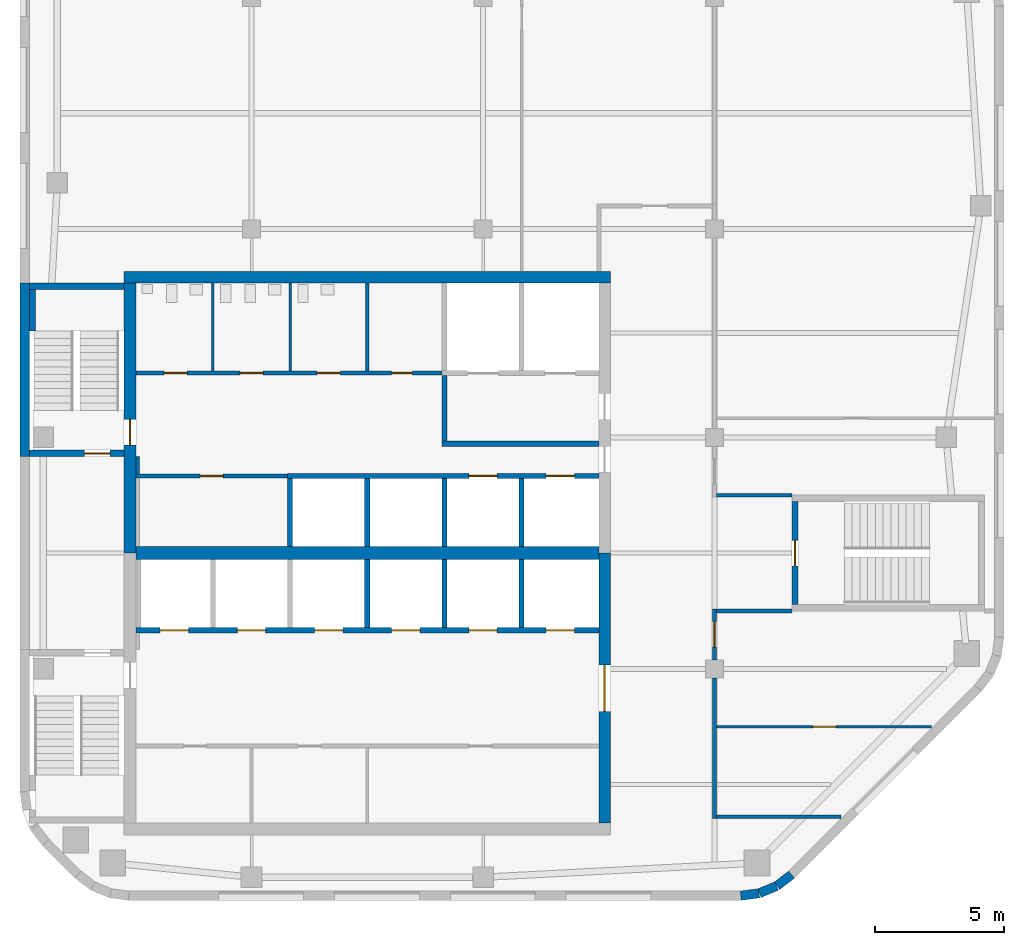
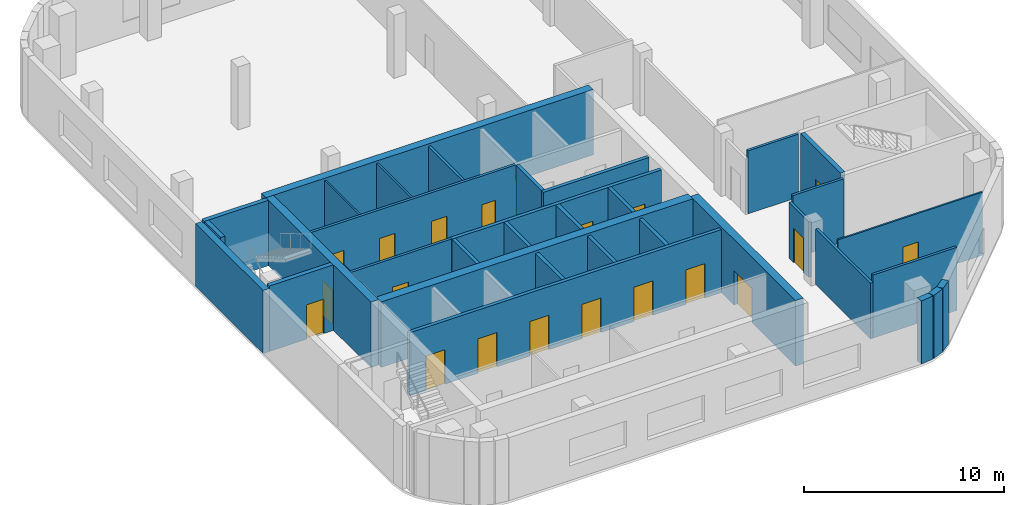
# One storey, part 3 of 7: 35 walls, 19 doors, 19 openings.
"""IFC4 building model written with IfcOpenShell, lengths in metres."""

from ifc_helpers import new_model, si_unit, direction, frame, frame_2d, origin, place, context, subcontext, project, spatial, rectangle, extrude, material, layer, layer_set, type_object, element, fill, save


model = new_model("IFC4")

# Units and contexts
model_context = context("Model", 3, precision=1e-05, world=origin(), true_north=direction((0.0, 1.0)))
body_context = subcontext(model_context, "Body", "Model", "MODEL_VIEW")
ifc_project = project(units=[si_unit("LENGTHUNIT", "METRE"), si_unit("AREAUNIT", "SQUARE_METRE"), si_unit("VOLUMEUNIT", "CUBIC_METRE"), si_unit("PLANEANGLEUNIT", "RADIAN"), si_unit("MASSUNIT", "GRAM", prefix="KILO")], contexts=[model_context])

# Site, building, storey
site_placement = place(None, origin())
site = spatial("IfcSite", under=ifc_project, at=site_placement, CompositionType="ELEMENT")
building_placement = place(site_placement, origin())
building = spatial("IfcBuilding", under=site, at=building_placement, Name="Cinnabar Reach Civic Tower", CompositionType="ELEMENT")
storey_placement = place(building_placement, frame((0.0, 0.0, 259.0)))
storey = spatial("IfcBuildingStorey", under=building, at=storey_placement, Name="L62", CompositionType="ELEMENT", Elevation=259.0)

# Walls
ifc_material_1 = material(Name="Facing brick with insulated backing", Category="masonry")
ifc_layer_1 = layer(ifc_material_1, 0.36)
ifc_layer_set_1 = layer_set([ifc_layer_1], Name="Brick corner wall")
wall_type_1 = type_object("IfcWallType", Name="Brick corner wall", PredefinedType="STANDARD", material=ifc_layer_set_1)
for number, where, z_axis, x_axis, name in (
    (1, (28.0186, 18.183, 0.0), (0.0, 0.0, 1.0), (0.99144092581, 0.13055608231, 0.0), "Brick corner wall"),
    (2, (28.7473, 18.2819, 0.0), (0.0, 0.0, 1.0), (0.923871547278, 0.382702709855, 0.0), "Brick corner wall"),
):
    element("IfcWall", number, at=place(storey_placement, frame(where, z_axis=z_axis, x_axis=x_axis)), inside=storey, type_object=wall_type_1, Name=name, PredefinedType="STANDARD", context=body_context, shape_type="SweptSolid", body=[
        extrude(rectangle(XDim=0.7131, YDim=0.36, at=frame_2d((0.3565, 0.0))), origin(), (0.0, 0.0, 1.0), 3.85),
    ])
wall_1_placement = place(storey_placement, frame((29.4255, 18.566, 0.0), z_axis=(0.0, 0.0, 1.0), x_axis=(0.793321924995, 0.608802368033, 0.0)))
element("IfcWall", 3, at=wall_1_placement, inside=storey, type_object=wall_type_1, Name="Brick corner wall", PredefinedType="STANDARD", context=body_context, shape_type="SweptSolid", body=[
    extrude(rectangle(XDim=0.7132, YDim=0.36, at=frame_2d((0.3566, 0.0))), origin(), (0.0, 0.0, 1.0), 3.85),
])
ifc_layer_2 = layer(ifc_material_1, 0.36)
ifc_layer_set_2 = layer_set([ifc_layer_2], Name="Brick pier and spandrel wall")
wall_type_2 = type_object("IfcWallType", Name="Brick pier and spandrel wall", PredefinedType="STANDARD", material=ifc_layer_set_2)
wall_2_placement = place(storey_placement, frame((0.18, 42.0, 0.0), z_axis=(0.0, 0.0, 1.0), x_axis=(0.0, -1.0, 0.0)))
element("IfcWall", 4, at=wall_2_placement, inside=storey, type_object=wall_type_2, Name="Brick facade wall", PredefinedType="STANDARD", context=body_context, shape_type="SweptSolid", body=[
    extrude(rectangle(XDim=6.75, YDim=0.36, at=frame_2d((3.375, 0.0))), origin(), (0.0, 0.0, 1.0), 3.85),
])
ifc_material_2 = material(Name="Concrete C60", Category="concrete")
ifc_layer_3 = layer(ifc_material_2, 0.45)
ifc_layer_set_3 = layer_set([ifc_layer_3], Name="Core wall 450 EI 180")
wall_type_3 = type_object("IfcWallType", Name="Core wall 450 EI 180", PredefinedType="SOLIDWALL", material=ifc_layer_set_3)
wall_3_placement = place(storey_placement, frame((22.95, 42.225, 0.0), z_axis=(0.0, 0.0, 1.0), x_axis=(-1.0, 0.0, 0.0)))
element("IfcWall", 5, at=wall_3_placement, inside=storey, type_object=wall_type_3, Name="Core wall T1 L62 N", PredefinedType="SOLIDWALL", context=body_context, shape_type="SweptSolid", body=[
    extrude(rectangle(XDim=18.9, YDim=0.45, at=frame_2d((9.45, 0.0))), origin(), (0.0, 0.0, 1.0), 4.0),
])

# Wall, opening, door
wall_4_placement = place(storey_placement, frame((22.725, 21.0, 0.0), z_axis=(0.0, 0.0, 1.0), x_axis=(0.0, 1.0, 0.0)))
wall_4 = element("IfcWall", 6, at=wall_4_placement, inside=storey, type_object=wall_type_3, Name="Core wall T1 L62 E", PredefinedType="SOLIDWALL", context=body_context, shape_type="SweptSolid", body=[
    extrude(rectangle(XDim=10.5, YDim=0.45, at=frame_2d((5.25, 0.0))), origin(), (0.0, 0.0, 1.0), 4.0),
])
opening_1_placement = place(wall_4_placement, frame((4.35, 0.0, 0.0)))
opening_1 = element("IfcOpeningElement", 7, at=opening_1_placement, cuts=wall_4, Name="Opening D5488", PredefinedType="OPENING", context=body_context, shape_type="SweptSolid", body=[
    extrude(rectangle(XDim=1.8, YDim=2.1, at=frame_2d((0.9, 1.05))), frame((0.0, 0.235, 0.0), z_axis=(0.0, -1.0, 0.0), x_axis=(1.0, 0.0, 0.0)), (0.0, 0.0, 1.0), 0.47),
])
ifc_material_3 = material(Name="Timber door leaf in steel frame", Category="steel")
door_type_1 = type_object("IfcDoorType", Name="Double swing door 1800 x 2100 T1", OperationType="DOUBLE_DOOR_DOUBLE_SWING", PredefinedType="DOOR", material=ifc_material_3)
door_1_placement = place(opening_1_placement, origin())
door_1 = element("IfcDoor", 8, at=door_1_placement, inside=storey, type_object=door_type_1, Name="Door D5488", OperationType="DOUBLE_DOOR_DOUBLE_SWING", OverallHeight=2.1, OverallWidth=1.8, PredefinedType="DOOR", context=body_context, shape_type="SweptSolid", body=[
    extrude(rectangle(XDim=1.8, YDim=2.1, at=frame_2d((0.9, 1.05))), frame((0.0, 0.025, 0.0), z_axis=(0.0, -1.0, 0.0), x_axis=(1.0, 0.0, 0.0)), (0.0, 0.0, 1.0), 0.05),
])
fill(opening_1, door_1)

wall_5_placement = place(storey_placement, frame((4.275, 42.0, 0.0), z_axis=(0.0, 0.0, 1.0), x_axis=(0.0, -1.0, 0.0)))
wall_5 = element("IfcWall", 9, at=wall_5_placement, inside=storey, type_object=wall_type_3, Name="Core wall T1 L62 W", PredefinedType="SOLIDWALL", context=body_context, shape_type="SweptSolid", body=[
    extrude(rectangle(XDim=10.5, YDim=0.45, at=frame_2d((5.25, 0.0))), origin(), (0.0, 0.0, 1.0), 4.0),
])
opening_2_placement = place(wall_5_placement, frame((5.3, 0.0, 0.0)))
opening_2 = element("IfcOpeningElement", 10, at=opening_2_placement, cuts=wall_5, Name="Opening D5476", PredefinedType="OPENING", context=body_context, shape_type="SweptSolid", body=[
    extrude(rectangle(XDim=1.0, YDim=2.1, at=frame_2d((0.5, 1.05))), frame((0.0, 0.235, 0.0), z_axis=(0.0, -1.0, 0.0), x_axis=(1.0, 0.0, 0.0)), (0.0, 0.0, 1.0), 0.47),
])
door_type_2 = type_object("IfcDoorType", Name="Stair door 1000 x 2100 T1", OperationType="SINGLE_SWING_LEFT", PredefinedType="DOOR", material=ifc_material_3)
door_2_placement = place(opening_2_placement, frame((1.0, 0.0, 0.0), z_axis=(0.0, 0.0, 1.0), x_axis=(-1.0, 0.0, 0.0)))
door_2 = element("IfcDoor", 11, at=door_2_placement, inside=storey, type_object=door_type_2, Name="Door D5476", OperationType="SINGLE_SWING_LEFT", OverallHeight=2.1, OverallWidth=1.0, PredefinedType="DOOR", context=body_context, shape_type="SweptSolid", body=[
    extrude(rectangle(XDim=1.0, YDim=2.1, at=frame_2d((0.5, 1.05))), frame((0.0, 0.025, 0.0), z_axis=(0.0, -1.0, 0.0), x_axis=(1.0, 0.0, 0.0)), (0.0, 0.0, 1.0), 0.05),
])
fill(opening_2, door_2)

# Wall
ifc_layer_4 = layer(ifc_material_2, 0.5)
ifc_layer_set_4 = layer_set([ifc_layer_4], Name="Core wall 500 EI 180")
wall_type_4 = type_object("IfcWallType", Name="Core wall 500 EI 180", PredefinedType="SOLIDWALL", material=ifc_layer_set_4)
wall_6_placement = place(storey_placement, frame((4.5, 31.5, 0.0), z_axis=(0.0, 0.0, 1.0), x_axis=(1.0, 0.0, 0.0)))
element("IfcWall", 12, at=wall_6_placement, inside=storey, type_object=wall_type_4, Name="Core spine wall T1 L62", PredefinedType="SOLIDWALL", context=body_context, shape_type="SweptSolid", body=[
    extrude(rectangle(XDim=18.0, YDim=0.5, at=frame_2d((9.0, 0.0))), origin(), (0.0, 0.0, 1.0), 4.0),
])

# Wall, openings, doors
ifc_material_4 = material(Name="Gypsum board on steel studs, double layer", Category="steel")
ifc_layer_5 = layer(ifc_material_4, 0.15)
ifc_layer_set_5 = layer_set([ifc_layer_5], Name="Corridor wall 150 T1")
wall_type_5 = type_object("IfcWallType", Name="Corridor wall 150 T1", PredefinedType="PARTITIONING", material=ifc_layer_set_5)
wall_7_placement = place(storey_placement, frame((4.5, 38.5, 0.0), z_axis=(0.0, 0.0, 1.0), x_axis=(1.0, 0.0, 0.0)))
wall_7 = element("IfcWall", 13, at=wall_7_placement, inside=storey, type_object=wall_type_5, Name="Corridor wall 19", PredefinedType="PARTITIONING", context=body_context, shape_type="SweptSolid", body=[
    extrude(rectangle(XDim=11.9, YDim=0.15, at=frame_2d((5.95, 0.0))), origin(), (0.0, 0.0, 1.0), 3.85),
])
opening_3_placement = place(wall_7_placement, frame((1.1, 0.0, 0.0)))
opening_3 = element("IfcOpeningElement", 14, at=opening_3_placement, cuts=wall_7, Name="Opening D5496", PredefinedType="OPENING", context=body_context, shape_type="SweptSolid", body=[
    extrude(rectangle(XDim=0.9, YDim=2.1, at=frame_2d((0.45, 1.05))), frame((0.0, 0.085, 0.0), z_axis=(0.0, -1.0, 0.0), x_axis=(1.0, 0.0, 0.0)), (0.0, 0.0, 1.0), 0.17),
])
opening_4_placement = place(wall_7_placement, frame((4.05, 0.0, 0.0)))
opening_4 = element("IfcOpeningElement", 15, at=opening_4_placement, cuts=wall_7, Name="Opening D5497", PredefinedType="OPENING", context=body_context, shape_type="SweptSolid", body=[
    extrude(rectangle(XDim=0.9, YDim=2.1, at=frame_2d((0.45, 1.05))), frame((0.0, 0.085, 0.0), z_axis=(0.0, -1.0, 0.0), x_axis=(1.0, 0.0, 0.0)), (0.0, 0.0, 1.0), 0.17),
])
opening_5_placement = place(wall_7_placement, frame((7.05, 0.0, 0.0)))
opening_5 = element("IfcOpeningElement", 16, at=opening_5_placement, cuts=wall_7, Name="Opening D5498", PredefinedType="OPENING", context=body_context, shape_type="SweptSolid", body=[
    extrude(rectangle(XDim=0.9, YDim=2.1, at=frame_2d((0.45, 1.05))), frame((0.0, 0.085, 0.0), z_axis=(0.0, -1.0, 0.0), x_axis=(1.0, 0.0, 0.0)), (0.0, 0.0, 1.0), 0.17),
])
opening_6_placement = place(wall_7_placement, frame((9.95, 0.0, 0.0)))
opening_6 = element("IfcOpeningElement", 17, at=opening_6_placement, cuts=wall_7, Name="Opening D5499", PredefinedType="OPENING", context=body_context, shape_type="SweptSolid", body=[
    extrude(rectangle(XDim=0.8, YDim=2.1, at=frame_2d((0.4, 1.05))), frame((0.0, 0.085, 0.0), z_axis=(0.0, -1.0, 0.0), x_axis=(1.0, 0.0, 0.0)), (0.0, 0.0, 1.0), 0.17),
])
door_type_3 = type_object("IfcDoorType", Name="Riser access door 800 x 2100 T1", OperationType="SINGLE_SWING_LEFT", PredefinedType="DOOR", material=ifc_material_3)
door_3_placement = place(opening_6_placement, origin())
door_3 = element("IfcDoor", 18, at=door_3_placement, inside=storey, type_object=door_type_3, Name="Door D5499", OperationType="SINGLE_SWING_LEFT", OverallHeight=2.1, OverallWidth=0.8, PredefinedType="DOOR", context=body_context, shape_type="SweptSolid", body=[
    extrude(rectangle(XDim=0.8, YDim=2.1, at=frame_2d((0.4, 1.05))), frame((0.0, 0.025, 0.0), z_axis=(0.0, -1.0, 0.0), x_axis=(1.0, 0.0, 0.0)), (0.0, 0.0, 1.0), 0.05),
])
fill(opening_6, door_3)
door_type_4 = type_object("IfcDoorType", Name="Single swing door 900 x 2100 corridor T1", OperationType="SINGLE_SWING_LEFT", PredefinedType="DOOR", material=ifc_material_3)
door_4_placement = place(opening_3_placement, origin())
door_4 = element("IfcDoor", 19, at=door_4_placement, inside=storey, type_object=door_type_4, Name="Door D5496", OperationType="SINGLE_SWING_RIGHT", OverallHeight=2.1, OverallWidth=0.9, PredefinedType="DOOR", context=body_context, shape_type="SweptSolid", body=[
    extrude(rectangle(XDim=0.9, YDim=2.1, at=frame_2d((0.45, 1.05))), frame((0.0, 0.025, 0.0), z_axis=(0.0, -1.0, 0.0), x_axis=(1.0, 0.0, 0.0)), (0.0, 0.0, 1.0), 0.05),
])
fill(opening_3, door_4)
door_5_placement = place(opening_4_placement, origin())
door_5 = element("IfcDoor", 20, at=door_5_placement, inside=storey, type_object=door_type_4, Name="Door D5497", OperationType="SINGLE_SWING_RIGHT", OverallHeight=2.1, OverallWidth=0.9, PredefinedType="DOOR", context=body_context, shape_type="SweptSolid", body=[
    extrude(rectangle(XDim=0.9, YDim=2.1, at=frame_2d((0.45, 1.05))), frame((0.0, 0.025, 0.0), z_axis=(0.0, -1.0, 0.0), x_axis=(1.0, 0.0, 0.0)), (0.0, 0.0, 1.0), 0.05),
])
fill(opening_4, door_5)
door_6_placement = place(opening_5_placement, origin())
door_6 = element("IfcDoor", 21, at=door_6_placement, inside=storey, type_object=door_type_4, Name="Door D5498", OperationType="SINGLE_SWING_LEFT", OverallHeight=2.1, OverallWidth=0.9, PredefinedType="DOOR", context=body_context, shape_type="SweptSolid", body=[
    extrude(rectangle(XDim=0.9, YDim=2.1, at=frame_2d((0.45, 1.05))), frame((0.0, 0.025, 0.0), z_axis=(0.0, -1.0, 0.0), x_axis=(1.0, 0.0, 0.0)), (0.0, 0.0, 1.0), 0.05),
])
fill(opening_5, door_6)

# Wall
wall_8_placement = place(storey_placement, frame((27.0, 21.175, 0.0), z_axis=(0.0, 0.0, 1.0), x_axis=(0.0, 1.0, 0.0)))
element("IfcWall", 22, at=wall_8_placement, inside=storey, type_object=wall_type_5, Name="Corridor wall 23", PredefinedType="PARTITIONING", context=body_context, shape_type="SweptSolid", body=[
    extrude(rectangle(XDim=5.475, YDim=0.15, at=frame_2d((2.7375, 0.0))), origin(), (0.0, 0.0, 1.0), 3.4),
])

# Wall, opening, door
wall_9_placement = place(storey_placement, frame((27.0, 27.35, 0.0), z_axis=(0.0, 0.0, 1.0), x_axis=(0.0, 1.0, 0.0)))
wall_9 = element("IfcWall", 23, at=wall_9_placement, inside=storey, type_object=wall_type_5, Name="Corridor wall 24", PredefinedType="PARTITIONING", context=body_context, shape_type="SweptSolid", body=[
    extrude(rectangle(XDim=1.975, YDim=0.15, at=frame_2d((0.9875, 0.0))), origin(), (0.0, 0.0, 1.0), 3.4),
])
opening_7_placement = place(wall_9_placement, frame((0.5, 0.0, 0.0)))
opening_7 = element("IfcOpeningElement", 24, at=opening_7_placement, cuts=wall_9, Name="Opening D5502", PredefinedType="OPENING", context=body_context, shape_type="SweptSolid", body=[
    extrude(rectangle(XDim=1.0, YDim=2.1, at=frame_2d((0.5, 1.05))), frame((0.0, 0.085, 0.0), z_axis=(0.0, -1.0, 0.0), x_axis=(1.0, 0.0, 0.0)), (0.0, 0.0, 1.0), 0.17),
])
door_type_5 = type_object("IfcDoorType", Name="Tenancy entrance door 1000 x 2100 T1", OperationType="SINGLE_SWING_LEFT", PredefinedType="DOOR", material=ifc_material_3)
door_7_placement = place(opening_7_placement, frame((1.0, 0.0, 0.0), z_axis=(0.0, 0.0, 1.0), x_axis=(-1.0, 0.0, 0.0)))
door_7 = element("IfcDoor", 25, at=door_7_placement, inside=storey, type_object=door_type_5, Name="Door D5502", OperationType="SINGLE_SWING_LEFT", OverallHeight=2.1, OverallWidth=1.0, PredefinedType="DOOR", context=body_context, shape_type="SweptSolid", body=[
    extrude(rectangle(XDim=1.0, YDim=2.1, at=frame_2d((0.5, 1.05))), frame((0.0, 0.025, 0.0), z_axis=(0.0, -1.0, 0.0), x_axis=(1.0, 0.0, 0.0)), (0.0, 0.0, 1.0), 0.05),
])
fill(opening_7, door_7)

wall_10_placement = place(storey_placement, frame((4.5, 34.5, 0.0), z_axis=(0.0, 0.0, 1.0), x_axis=(1.0, 0.0, 0.0)))
wall_10 = element("IfcWall", 26, at=wall_10_placement, inside=storey, type_object=wall_type_5, Name="Corridor wall 25", PredefinedType="PARTITIONING", context=body_context, shape_type="SweptSolid", body=[
    extrude(rectangle(XDim=5.9, YDim=0.15, at=frame_2d((2.95, 0.0))), origin(), (0.0, 0.0, 1.0), 3.85),
])
opening_8_placement = place(wall_10_placement, frame((2.5, 0.0, 0.0)))
opening_8 = element("IfcOpeningElement", 27, at=opening_8_placement, cuts=wall_10, Name="Opening D5495", PredefinedType="OPENING", context=body_context, shape_type="SweptSolid", body=[
    extrude(rectangle(XDim=0.9, YDim=2.1, at=frame_2d((0.45, 1.05))), frame((0.0, 0.085, 0.0), z_axis=(0.0, -1.0, 0.0), x_axis=(1.0, 0.0, 0.0)), (0.0, 0.0, 1.0), 0.17),
])
door_8_placement = place(opening_8_placement, frame((0.9, 0.0, 0.0), z_axis=(0.0, 0.0, 1.0), x_axis=(-1.0, 0.0, 0.0)))
door_8 = element("IfcDoor", 28, at=door_8_placement, inside=storey, type_object=door_type_4, Name="Door D5495", OperationType="SINGLE_SWING_RIGHT", OverallHeight=2.1, OverallWidth=0.9, PredefinedType="DOOR", context=body_context, shape_type="SweptSolid", body=[
    extrude(rectangle(XDim=0.9, YDim=2.1, at=frame_2d((0.45, 1.05))), frame((0.0, 0.025, 0.0), z_axis=(0.0, -1.0, 0.0), x_axis=(1.0, 0.0, 0.0)), (0.0, 0.0, 1.0), 0.05),
])
fill(opening_8, door_8)

# Walls
wall_11_placement = place(storey_placement, frame((27.075, 21.25, 0.0), z_axis=(0.0, 0.0, 1.0), x_axis=(1.0, 0.0, 0.0)))
element("IfcWall", 29, at=wall_11_placement, inside=storey, type_object=wall_type_5, Name="Corridor wall 26", PredefinedType="PARTITIONING", context=body_context, shape_type="SweptSolid", body=[
    extrude(rectangle(XDim=4.841, YDim=0.15, at=frame_2d((2.4205, 0.0))), origin(), (0.0, 0.0, 1.0), 3.85),
])
wall_12_placement = place(storey_placement, frame((4.575, 34.575, 0.0), z_axis=(0.0, 0.0, 1.0), x_axis=(0.0, 1.0, 0.0)))
element("IfcWall", 30, at=wall_12_placement, inside=storey, type_object=wall_type_5, Name="Corridor wall 28", PredefinedType="PARTITIONING", context=body_context, shape_type="SweptSolid", body=[
    extrude(rectangle(XDim=0.675, YDim=0.15, at=frame_2d((0.3375, 0.0))), origin(), (0.0, 0.0, 1.0), 3.85),
])
for number, where, z_axis, x_axis, name in (
    (31, (27.075, 29.25, 0.0), (0.0, 0.0, 1.0), (1.0, 0.0, 0.0), "Corridor wall 30"),
    (32, (27.075, 33.75, 0.0), (0.0, 0.0, 1.0), (1.0, 0.0, 0.0), "Corridor wall 31"),
):
    element("IfcWall", number, at=place(storey_placement, frame(where, z_axis=z_axis, x_axis=x_axis)), inside=storey, type_object=wall_type_5, Name=name, PredefinedType="PARTITIONING", context=body_context, shape_type="SweptSolid", body=[
        extrude(rectangle(XDim=2.925, YDim=0.15, at=frame_2d((1.4625, 0.0))), origin(), (0.0, 0.0, 1.0), 3.85),
    ])

# Wall, openings, doors
ifc_material_5 = material(Name="Blockwork", Category="masonry")
ifc_layer_6 = layer(ifc_material_5, 0.2)
ifc_layer_set_6 = layer_set([ifc_layer_6], Name="Lift shaft wall 200 T1")
wall_type_6 = type_object("IfcWallType", Name="Lift shaft wall 200 T1", PredefinedType="PARTITIONING", material=ifc_layer_set_6)
wall_13_placement = place(storey_placement, frame((4.5, 28.5, 0.0), z_axis=(0.0, 0.0, 1.0), x_axis=(1.0, 0.0, 0.0)))
wall_13 = element("IfcWall", 33, at=wall_13_placement, inside=storey, type_object=wall_type_6, Name="Lift shaft wall 4", PredefinedType="PARTITIONING", context=body_context, shape_type="SweptSolid", body=[
    extrude(rectangle(XDim=18.0, YDim=0.2, at=frame_2d((9.0, 0.0))), origin(), (0.0, 0.0, 1.0), 3.85),
])
opening_9_placement = place(wall_13_placement, frame((0.95, 0.0, 0.0)))
opening_9 = element("IfcOpeningElement", 34, at=opening_9_placement, cuts=wall_13, Name="Opening D5478", PredefinedType="OPENING", context=body_context, shape_type="SweptSolid", body=[
    extrude(rectangle(XDim=1.1, YDim=2.1, at=frame_2d((0.55, 1.05))), frame((0.0, 0.11, 0.0), z_axis=(0.0, -1.0, 0.0), x_axis=(1.0, 0.0, 0.0)), (0.0, 0.0, 1.0), 0.22),
])
opening_10_placement = place(wall_13_placement, frame((3.95, 0.0, 0.0)))
opening_10 = element("IfcOpeningElement", 35, at=opening_10_placement, cuts=wall_13, Name="Opening D5479", PredefinedType="OPENING", context=body_context, shape_type="SweptSolid", body=[
    extrude(rectangle(XDim=1.1, YDim=2.1, at=frame_2d((0.55, 1.05))), frame((0.0, 0.11, 0.0), z_axis=(0.0, -1.0, 0.0), x_axis=(1.0, 0.0, 0.0)), (0.0, 0.0, 1.0), 0.22),
])
opening_11_placement = place(wall_13_placement, frame((6.95, 0.0, 0.0)))
opening_11 = element("IfcOpeningElement", 36, at=opening_11_placement, cuts=wall_13, Name="Opening D5480", PredefinedType="OPENING", context=body_context, shape_type="SweptSolid", body=[
    extrude(rectangle(XDim=1.1, YDim=2.1, at=frame_2d((0.55, 1.05))), frame((0.0, 0.11, 0.0), z_axis=(0.0, -1.0, 0.0), x_axis=(1.0, 0.0, 0.0)), (0.0, 0.0, 1.0), 0.22),
])
opening_12_placement = place(wall_13_placement, frame((9.95, 0.0, 0.0)))
opening_12 = element("IfcOpeningElement", 37, at=opening_12_placement, cuts=wall_13, Name="Opening D5481", PredefinedType="OPENING", context=body_context, shape_type="SweptSolid", body=[
    extrude(rectangle(XDim=1.1, YDim=2.1, at=frame_2d((0.55, 1.05))), frame((0.0, 0.11, 0.0), z_axis=(0.0, -1.0, 0.0), x_axis=(1.0, 0.0, 0.0)), (0.0, 0.0, 1.0), 0.22),
])
opening_13_placement = place(wall_13_placement, frame((12.95, 0.0, 0.0)))
opening_13 = element("IfcOpeningElement", 38, at=opening_13_placement, cuts=wall_13, Name="Opening D5482", PredefinedType="OPENING", context=body_context, shape_type="SweptSolid", body=[
    extrude(rectangle(XDim=1.1, YDim=2.1, at=frame_2d((0.55, 1.05))), frame((0.0, 0.11, 0.0), z_axis=(0.0, -1.0, 0.0), x_axis=(1.0, 0.0, 0.0)), (0.0, 0.0, 1.0), 0.22),
])
opening_14_placement = place(wall_13_placement, frame((15.95, 0.0, 0.0)))
opening_14 = element("IfcOpeningElement", 39, at=opening_14_placement, cuts=wall_13, Name="Opening D5483", PredefinedType="OPENING", context=body_context, shape_type="SweptSolid", body=[
    extrude(rectangle(XDim=1.1, YDim=2.1, at=frame_2d((0.55, 1.05))), frame((0.0, 0.11, 0.0), z_axis=(0.0, -1.0, 0.0), x_axis=(1.0, 0.0, 0.0)), (0.0, 0.0, 1.0), 0.22),
])
ifc_material_6 = material(Name="Stainless steel sliding door", Category="steel")
door_type_6 = type_object("IfcDoorType", Name="Lift landing door 1100 x 2100 T1", OperationType="SLIDING_TO_LEFT", PredefinedType="DOOR", material=ifc_material_6)
door_9_placement = place(opening_9_placement, origin())
door_9 = element("IfcDoor", 40, at=door_9_placement, inside=storey, type_object=door_type_6, Name="Lift landing door HR1 L62", OperationType="SLIDING_TO_LEFT", OverallHeight=2.1, OverallWidth=1.1, PredefinedType="DOOR", context=body_context, shape_type="SweptSolid", body=[
    extrude(rectangle(XDim=1.1, YDim=2.1, at=frame_2d((0.55, 1.05))), frame((0.0, 0.025, 0.0), z_axis=(0.0, -1.0, 0.0), x_axis=(1.0, 0.0, 0.0)), (0.0, 0.0, 1.0), 0.05),
])
fill(opening_9, door_9)
door_10_placement = place(opening_10_placement, origin())
door_10 = element("IfcDoor", 41, at=door_10_placement, inside=storey, type_object=door_type_6, Name="Lift landing door HR2 L62", OperationType="SLIDING_TO_LEFT", OverallHeight=2.1, OverallWidth=1.1, PredefinedType="DOOR", context=body_context, shape_type="SweptSolid", body=[
    extrude(rectangle(XDim=1.1, YDim=2.1, at=frame_2d((0.55, 1.05))), frame((0.0, 0.025, 0.0), z_axis=(0.0, -1.0, 0.0), x_axis=(1.0, 0.0, 0.0)), (0.0, 0.0, 1.0), 0.05),
])
fill(opening_10, door_10)
door_11_placement = place(opening_11_placement, origin())
door_11 = element("IfcDoor", 42, at=door_11_placement, inside=storey, type_object=door_type_6, Name="Lift landing door HR3 L62", OperationType="SLIDING_TO_LEFT", OverallHeight=2.1, OverallWidth=1.1, PredefinedType="DOOR", context=body_context, shape_type="SweptSolid", body=[
    extrude(rectangle(XDim=1.1, YDim=2.1, at=frame_2d((0.55, 1.05))), frame((0.0, 0.025, 0.0), z_axis=(0.0, -1.0, 0.0), x_axis=(1.0, 0.0, 0.0)), (0.0, 0.0, 1.0), 0.05),
])
fill(opening_11, door_11)
door_12_placement = place(opening_12_placement, origin())
door_12 = element("IfcDoor", 43, at=door_12_placement, inside=storey, type_object=door_type_6, Name="Lift landing door HR4 L62", OperationType="SLIDING_TO_LEFT", OverallHeight=2.1, OverallWidth=1.1, PredefinedType="DOOR", context=body_context, shape_type="SweptSolid", body=[
    extrude(rectangle(XDim=1.1, YDim=2.1, at=frame_2d((0.55, 1.05))), frame((0.0, 0.025, 0.0), z_axis=(0.0, -1.0, 0.0), x_axis=(1.0, 0.0, 0.0)), (0.0, 0.0, 1.0), 0.05),
])
fill(opening_12, door_12)
door_13_placement = place(opening_13_placement, origin())
door_13 = element("IfcDoor", 44, at=door_13_placement, inside=storey, type_object=door_type_6, Name="Lift landing door HR5 L62", OperationType="SLIDING_TO_LEFT", OverallHeight=2.1, OverallWidth=1.1, PredefinedType="DOOR", context=body_context, shape_type="SweptSolid", body=[
    extrude(rectangle(XDim=1.1, YDim=2.1, at=frame_2d((0.55, 1.05))), frame((0.0, 0.025, 0.0), z_axis=(0.0, -1.0, 0.0), x_axis=(1.0, 0.0, 0.0)), (0.0, 0.0, 1.0), 0.05),
])
fill(opening_13, door_13)
door_14_placement = place(opening_14_placement, origin())
door_14 = element("IfcDoor", 45, at=door_14_placement, inside=storey, type_object=door_type_6, Name="Lift landing door HR6 L62", OperationType="SLIDING_TO_LEFT", OverallHeight=2.1, OverallWidth=1.1, PredefinedType="DOOR", context=body_context, shape_type="SweptSolid", body=[
    extrude(rectangle(XDim=1.1, YDim=2.1, at=frame_2d((0.55, 1.05))), frame((0.0, 0.025, 0.0), z_axis=(0.0, -1.0, 0.0), x_axis=(1.0, 0.0, 0.0)), (0.0, 0.0, 1.0), 0.05),
])
fill(opening_14, door_14)

wall_14_placement = place(storey_placement, frame((10.4, 34.5, 0.0), z_axis=(0.0, 0.0, 1.0), x_axis=(1.0, 0.0, 0.0)))
wall_14 = element("IfcWall", 46, at=wall_14_placement, inside=storey, type_object=wall_type_6, Name="Lift shaft wall 5", PredefinedType="PARTITIONING", context=body_context, shape_type="SweptSolid", body=[
    extrude(rectangle(XDim=12.1, YDim=0.2, at=frame_2d((6.05, 0.0))), origin(), (0.0, 0.0, 1.0), 3.85),
])
opening_15_placement = place(wall_14_placement, frame((7.05, 0.0, 0.0)))
opening_15 = element("IfcOpeningElement", 47, at=opening_15_placement, cuts=wall_14, Name="Opening D5484", PredefinedType="OPENING", context=body_context, shape_type="SweptSolid", body=[
    extrude(rectangle(XDim=1.1, YDim=2.1, at=frame_2d((0.55, 1.05))), frame((0.0, 0.11, 0.0), z_axis=(0.0, -1.0, 0.0), x_axis=(1.0, 0.0, 0.0)), (0.0, 0.0, 1.0), 0.22),
])
opening_16_placement = place(wall_14_placement, frame((10.05, 0.0, 0.0)))
opening_16 = element("IfcOpeningElement", 48, at=opening_16_placement, cuts=wall_14, Name="Opening D5485", PredefinedType="OPENING", context=body_context, shape_type="SweptSolid", body=[
    extrude(rectangle(XDim=1.1, YDim=2.1, at=frame_2d((0.55, 1.05))), frame((0.0, 0.11, 0.0), z_axis=(0.0, -1.0, 0.0), x_axis=(1.0, 0.0, 0.0)), (0.0, 0.0, 1.0), 0.22),
])
door_15_placement = place(opening_15_placement, origin())
door_15 = element("IfcDoor", 49, at=door_15_placement, inside=storey, type_object=door_type_6, Name="Lift landing door SV1 L62", OperationType="SLIDING_TO_LEFT", OverallHeight=2.1, OverallWidth=1.1, PredefinedType="DOOR", context=body_context, shape_type="SweptSolid", body=[
    extrude(rectangle(XDim=1.1, YDim=2.1, at=frame_2d((0.55, 1.05))), frame((0.0, 0.025, 0.0), z_axis=(0.0, -1.0, 0.0), x_axis=(1.0, 0.0, 0.0)), (0.0, 0.0, 1.0), 0.05),
])
fill(opening_15, door_15)
door_16_placement = place(opening_16_placement, origin())
door_16 = element("IfcDoor", 50, at=door_16_placement, inside=storey, type_object=door_type_6, Name="Lift landing door SV2 L62", OperationType="SLIDING_TO_LEFT", OverallHeight=2.1, OverallWidth=1.1, PredefinedType="DOOR", context=body_context, shape_type="SweptSolid", body=[
    extrude(rectangle(XDim=1.1, YDim=2.1, at=frame_2d((0.55, 1.05))), frame((0.0, 0.025, 0.0), z_axis=(0.0, -1.0, 0.0), x_axis=(1.0, 0.0, 0.0)), (0.0, 0.0, 1.0), 0.05),
])
fill(opening_16, door_16)

# Walls
for number, where, z_axis, x_axis, name in (
    (51, (10.5, 31.75, 0.0), (0.0, 0.0, 1.0), (0.0, 1.0, 0.0), "Lift shaft wall 7"),
    (52, (13.5, 28.6, 0.0), (0.0, 0.0, 1.0), (0.0, 1.0, 0.0), "Lift shaft wall 8"),
    (53, (13.5, 31.75, 0.0), (0.0, 0.0, 1.0), (0.0, 1.0, 0.0), "Lift shaft wall 9"),
    (54, (16.5, 28.6, 0.0), (0.0, 0.0, 1.0), (0.0, 1.0, 0.0), "Lift shaft wall 10"),
    (55, (16.5, 31.75, 0.0), (0.0, 0.0, 1.0), (0.0, 1.0, 0.0), "Lift shaft wall 11"),
    (56, (19.5, 28.6, 0.0), (0.0, 0.0, 1.0), (0.0, 1.0, 0.0), "Lift shaft wall 12"),
    (57, (19.5, 31.75, 0.0), (0.0, 0.0, 1.0), (0.0, 1.0, 0.0), "Lift shaft wall 13"),
):
    element("IfcWall", number, at=place(storey_placement, frame(where, z_axis=z_axis, x_axis=x_axis)), inside=storey, type_object=wall_type_6, Name=name, PredefinedType="PARTITIONING", context=body_context, shape_type="SweptSolid", body=[
        extrude(rectangle(XDim=2.65, YDim=0.2, at=frame_2d((1.325, 0.0))), origin(), (0.0, 0.0, 1.0), 3.85),
    ])

# Wall, opening, door
ifc_material_7 = material(Name="Gypsum board on steel studs", Category="steel")
ifc_layer_7 = layer(ifc_material_7, 0.1)
ifc_layer_set_7 = layer_set([ifc_layer_7], Name="Partition wall 100 T1")
wall_type_7 = type_object("IfcWallType", Name="Partition wall 100 T1", PredefinedType="PARTITIONING", material=ifc_layer_set_7)
wall_15_placement = place(storey_placement, frame((27.075, 24.75, 0.0), z_axis=(0.0, 0.0, 1.0), x_axis=(1.0, 0.0, 0.0)))
wall_15 = element("IfcWall", 58, at=wall_15_placement, inside=storey, type_object=wall_type_7, Name="Partition wall 40", PredefinedType="PARTITIONING", context=body_context, shape_type="SweptSolid", body=[
    extrude(rectangle(XDim=8.3659, YDim=0.1, at=frame_2d((4.1829, 0.0))), origin(), (0.0, 0.0, 1.0), 3.85),
])
opening_17_placement = place(wall_15_placement, frame((3.75, 0.0, 0.0)))
opening_17 = element("IfcOpeningElement", 59, at=opening_17_placement, cuts=wall_15, Name="Opening D5503", PredefinedType="OPENING", context=body_context, shape_type="SweptSolid", body=[
    extrude(rectangle(XDim=0.9, YDim=2.1, at=frame_2d((0.45, 1.05))), frame((0.0, 0.06, 0.0), z_axis=(0.0, -1.0, 0.0), x_axis=(1.0, 0.0, 0.0)), (0.0, 0.0, 1.0), 0.12),
])
door_type_7 = type_object("IfcDoorType", Name="Single swing door 900 x 2100 T1", OperationType="SINGLE_SWING_LEFT", PredefinedType="DOOR", material=ifc_material_3)
door_17_placement = place(opening_17_placement, frame((0.9, 0.0, 0.0), z_axis=(0.0, 0.0, 1.0), x_axis=(-1.0, 0.0, 0.0)))
door_17 = element("IfcDoor", 60, at=door_17_placement, inside=storey, type_object=door_type_7, Name="Door D5503", OperationType="SINGLE_SWING_LEFT", OverallHeight=2.1, OverallWidth=0.9, PredefinedType="DOOR", context=body_context, shape_type="SweptSolid", body=[
    extrude(rectangle(XDim=0.9, YDim=2.1, at=frame_2d((0.45, 1.05))), frame((0.0, 0.025, 0.0), z_axis=(0.0, -1.0, 0.0), x_axis=(1.0, 0.0, 0.0)), (0.0, 0.0, 1.0), 0.05),
])
fill(opening_17, door_17)

# Walls
for number, where, z_axis, x_axis, name in (
    (61, (7.5, 38.575, 0.0), (0.0, 0.0, 1.0), (0.0, 1.0, 0.0), "Partition wall 41"),
    (62, (10.5, 38.575, 0.0), (0.0, 0.0, 1.0), (0.0, 1.0, 0.0), "Partition wall 42"),
):
    element("IfcWall", number, at=place(storey_placement, frame(where, z_axis=z_axis, x_axis=x_axis)), inside=storey, type_object=wall_type_7, Name=name, PredefinedType="PARTITIONING", context=body_context, shape_type="SweptSolid", body=[
        extrude(rectangle(XDim=3.425, YDim=0.1, at=frame_2d((1.7125, 0.0))), origin(), (0.0, 0.0, 1.0), 3.85),
    ])
ifc_material_8 = material(Name="Concrete C40", Category="concrete")
ifc_layer_8 = layer(ifc_material_8, 0.2)
ifc_layer_set_8 = layer_set([ifc_layer_8], Name="Refuge compartment wall 200 T1")
wall_type_8 = type_object("IfcWallType", Name="Refuge compartment wall 200 T1", PredefinedType="PARTITIONING", material=ifc_layer_set_8)
wall_16_placement = place(storey_placement, frame((16.4, 35.75, 0.0), z_axis=(0.0, 0.0, 1.0), x_axis=(1.0, 0.0, 0.0)))
element("IfcWall", 63, at=wall_16_placement, inside=storey, type_object=wall_type_8, Name="Refuge compartment wall 1", PredefinedType="PARTITIONING", context=body_context, shape_type="SweptSolid", body=[
    extrude(rectangle(XDim=6.1, YDim=0.2, at=frame_2d((3.05, 0.0))), origin(), (0.0, 0.0, 1.0), 3.85),
])
wall_17_placement = place(storey_placement, frame((16.5, 35.85, 0.0), z_axis=(0.0, 0.0, 1.0), x_axis=(0.0, 1.0, 0.0)))
element("IfcWall", 64, at=wall_17_placement, inside=storey, type_object=wall_type_8, Name="Refuge compartment wall 3", PredefinedType="PARTITIONING", context=body_context, shape_type="SweptSolid", body=[
    extrude(rectangle(XDim=2.55, YDim=0.2, at=frame_2d((1.275, 0.0))), origin(), (0.0, 0.0, 1.0), 3.85),
])
ifc_layer_9 = layer(ifc_material_5, 0.15)
ifc_layer_set_9 = layer_set([ifc_layer_9], Name="Riser wall 150 T1")
wall_type_9 = type_object("IfcWallType", Name="Riser wall 150 T1", PredefinedType="PARTITIONING", material=ifc_layer_set_9)
wall_18_placement = place(storey_placement, frame((13.5, 38.575, 0.0), z_axis=(0.0, 0.0, 1.0), x_axis=(0.0, 1.0, 0.0)))
element("IfcWall", 65, at=wall_18_placement, inside=storey, type_object=wall_type_9, Name="Riser wall 34", PredefinedType="PARTITIONING", context=body_context, shape_type="SweptSolid", body=[
    extrude(rectangle(XDim=3.425, YDim=0.15, at=frame_2d((1.7125, 0.0))), origin(), (0.0, 0.0, 1.0), 3.85),
])

# Wall, opening, door
ifc_layer_10 = layer(ifc_material_2, 0.25)
ifc_layer_set_10 = layer_set([ifc_layer_10], Name="Stair shaft wall 250 EI 120")
wall_type_10 = type_object("IfcWallType", Name="Stair shaft wall 250 EI 120", PredefinedType="SOLIDWALL", material=ifc_layer_set_10)
wall_19_placement = place(storey_placement, frame((0.36, 35.375, 0.0), z_axis=(0.0, 0.0, 1.0), x_axis=(1.0, 0.0, 0.0)))
wall_19 = element("IfcWall", 66, at=wall_19_placement, inside=storey, type_object=wall_type_10, Name="Stair shaft wall T1-S2 L62", PredefinedType="SOLIDWALL", context=body_context, shape_type="SweptSolid", body=[
    extrude(rectangle(XDim=3.69, YDim=0.25, at=frame_2d((1.845, 0.0))), origin(), (0.0, 0.0, 1.0), 4.0),
])
opening_18_placement = place(wall_19_placement, frame((2.14, 0.0, 0.0)))
opening_18 = element("IfcOpeningElement", 67, at=opening_18_placement, cuts=wall_19, Name="Opening D5477", PredefinedType="OPENING", context=body_context, shape_type="SweptSolid", body=[
    extrude(rectangle(XDim=1.0, YDim=2.1, at=frame_2d((0.5, 1.05))), frame((0.0, 0.135, 0.0), z_axis=(0.0, -1.0, 0.0), x_axis=(1.0, 0.0, 0.0)), (0.0, 0.0, 1.0), 0.27),
])
door_18_placement = place(opening_18_placement, origin())
door_18 = element("IfcDoor", 68, at=door_18_placement, inside=storey, type_object=door_type_2, Name="Door D5477", OperationType="SINGLE_SWING_LEFT", OverallHeight=2.1, OverallWidth=1.0, PredefinedType="DOOR", context=body_context, shape_type="SweptSolid", body=[
    extrude(rectangle(XDim=1.0, YDim=2.1, at=frame_2d((0.5, 1.05))), frame((0.0, 0.025, 0.0), z_axis=(0.0, -1.0, 0.0), x_axis=(1.0, 0.0, 0.0)), (0.0, 0.0, 1.0), 0.05),
])
fill(opening_18, door_18)

# Wall
wall_20_placement = place(storey_placement, frame((4.05, 41.875, 0.0), z_axis=(0.0, 0.0, 1.0), x_axis=(-1.0, 0.0, 0.0)))
element("IfcWall", 69, at=wall_20_placement, inside=storey, type_object=wall_type_10, Name="Stair shaft wall T1-S2 L62", PredefinedType="SOLIDWALL", context=body_context, shape_type="SweptSolid", body=[
    extrude(rectangle(XDim=3.69, YDim=0.25, at=frame_2d((1.845, 0.0))), origin(), (0.0, 0.0, 1.0), 4.0),
])

# Wall, opening, door
wall_21_placement = place(storey_placement, frame((30.125, 33.5, 0.0), z_axis=(0.0, 0.0, 1.0), x_axis=(0.0, -1.0, 0.0)))
wall_21 = element("IfcWall", 70, at=wall_21_placement, inside=storey, type_object=wall_type_10, Name="Stair shaft wall T1-S3 L62", PredefinedType="SOLIDWALL", context=body_context, shape_type="SweptSolid", body=[
    extrude(rectangle(XDim=4.0, YDim=0.25, at=frame_2d((2.0, 0.0))), origin(), (0.0, 0.0, 1.0), 4.0),
])
opening_19_placement = place(wall_21_placement, frame((1.5, 0.0, 0.0)))
opening_19 = element("IfcOpeningElement", 71, at=opening_19_placement, cuts=wall_21, Name="Opening D5491", PredefinedType="OPENING", context=body_context, shape_type="SweptSolid", body=[
    extrude(rectangle(XDim=1.0, YDim=2.1, at=frame_2d((0.5, 1.05))), frame((0.0, 0.135, 0.0), z_axis=(0.0, -1.0, 0.0), x_axis=(1.0, 0.0, 0.0)), (0.0, 0.0, 1.0), 0.27),
])
door_19_placement = place(opening_19_placement, origin())
door_19 = element("IfcDoor", 72, at=door_19_placement, inside=storey, type_object=door_type_2, Name="Door D5491", OperationType="SINGLE_SWING_LEFT", OverallHeight=2.1, OverallWidth=1.0, PredefinedType="DOOR", context=body_context, shape_type="SweptSolid", body=[
    extrude(rectangle(XDim=1.0, YDim=2.1, at=frame_2d((0.5, 1.05))), frame((0.0, 0.025, 0.0), z_axis=(0.0, -1.0, 0.0), x_axis=(1.0, 0.0, 0.0)), (0.0, 0.0, 1.0), 0.05),
])
fill(opening_19, door_19)

# Wall
ifc_material_9 = material(Name="Concrete C40/50", Category="concrete")
ifc_layer_11 = layer(ifc_material_9, 0.24)
ifc_layer_set_11 = layer_set([ifc_layer_11], Name="T1 landing bearer wall 240")
wall_type_11 = type_object("IfcWallType", Name="T1 landing bearer wall 240", PredefinedType="STANDARD", material=ifc_layer_set_11)
wall_22_placement = place(storey_placement, frame((0.48, 40.13, 0.0), z_axis=(0.0, 0.0, 1.0), x_axis=(0.0, 1.0, 0.0)))
element("IfcWall", 73, at=wall_22_placement, inside=storey, type_object=wall_type_11, Name="T1-S2 landing bearer wall", PredefinedType="STANDARD", context=body_context, shape_type="SweptSolid", body=[
    extrude(rectangle(XDim=1.62, YDim=0.24, at=frame_2d((0.81, 0.0))), origin(), (0.0, 0.0, 1.0), 4.0),
])

save(model, "model.ifc")
